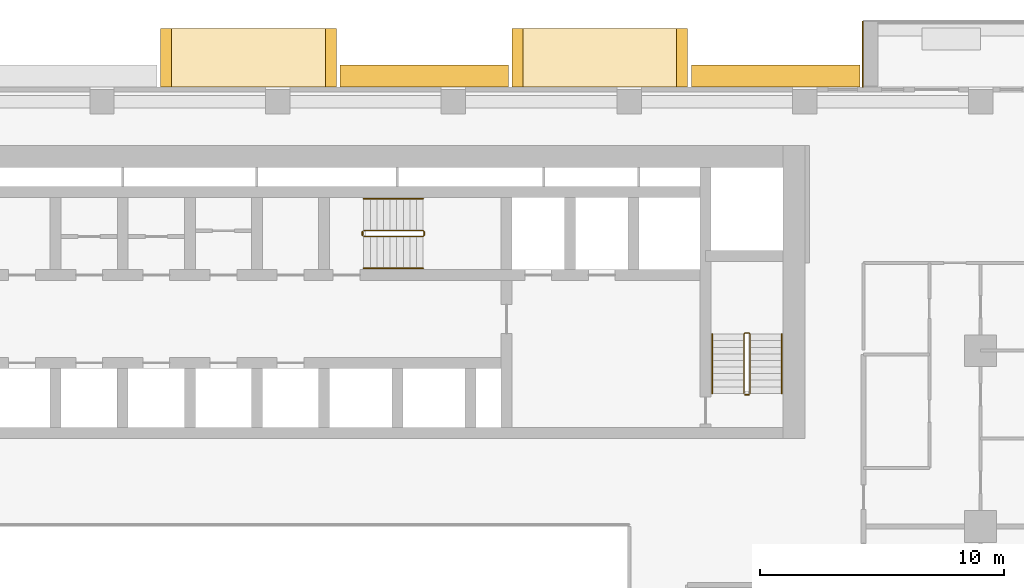
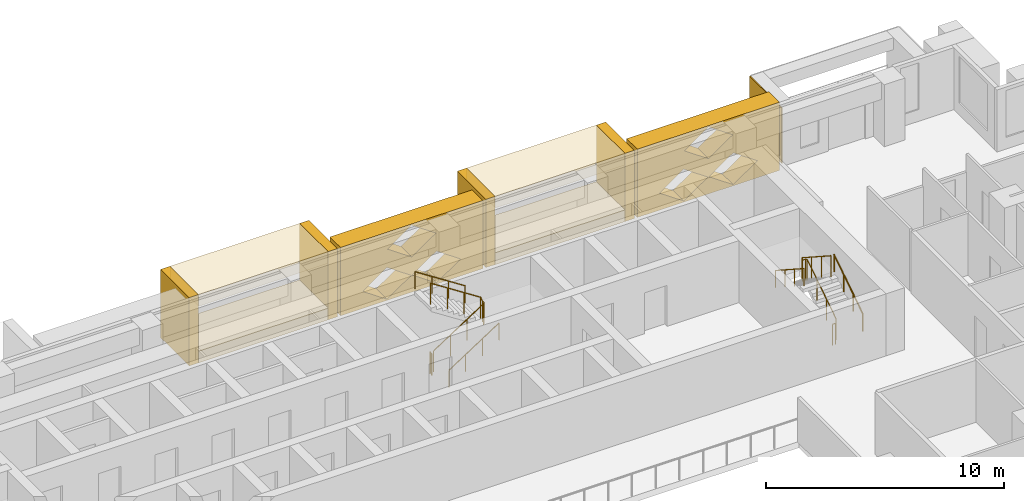
# One storey, part 16 of 17: 11 coverings, 8 railings.
"""IFC4 building model written with IfcOpenShell, lengths in metres."""

import ifcopenshell
import ifcopenshell.guid

model = None  # the IFC model being written
_history = None  # IfcOwnerHistory: only IFC2X3 demands one
_inside = {}  # id of a spatial element -> (the spatial element, [elements in it])
_under = {}  # id of a project, library or spatial element -> (it, [spatial elements below it])
_declared = {}  # id of a project -> (the project, [libraries it declares])
_typed = {}  # id of a type object -> (the type object, [elements of that type])
_made_of = {}  # id of a material, layer set ... -> (it, [elements and type objects made of it])


def new_model(schema):
    """Start an empty IFC model of exactly this schema.

    Asked for "IFC4X3", IfcOpenShell would pick the latest addendum, in which some entities
    have other attributes; the version numbers below select the first issue.
    IFC2X3 requires an IfcOwnerHistory on every rooted entity: one is made here for all.
    """
    global model, _history
    if schema == "IFC4X3":
        model = ifcopenshell.file(schema_version=(4, 3, 0, 0))
    else:
        model = ifcopenshell.file(schema=schema)
    _inside.clear()
    _under.clear()
    _declared.clear()
    _typed.clear()
    _made_of.clear()
    _history = None
    if model.schema == "IFC2X3":
        org = make("IfcOrganization", Name="unknown")
        user = make(
            "IfcPersonAndOrganization",
            ThePerson=make("IfcPerson", FamilyName="unknown"),
            TheOrganization=org,
        )
        app = make(
            "IfcApplication",
            ApplicationDeveloper=org,
            Version="unknown",
            ApplicationFullName="unknown",
            ApplicationIdentifier="unknown",
        )
        _history = make(
            "IfcOwnerHistory",
            OwningUser=user,
            OwningApplication=app,
            ChangeAction="ADDED",
            CreationDate=0,
        )
    return model


def make(cls, **values):
    """One entity of the class cls with the attributes given. An attribute that is None is left unset."""
    return model.create_entity(
        cls, **{name: value for name, value in values.items() if value is not None}
    )


def rooted(cls, **values):
    """An entity with a GlobalId (a new one), such as an element, a storey or a relation."""
    return make(cls, GlobalId=ifcopenshell.guid.new(), OwnerHistory=_history, **values)


def si_unit(unit_type, name, prefix=None):
    """IfcSIUnit, for example si_unit("LENGTHUNIT", "METRE", prefix="MILLI")."""
    return make("IfcSIUnit", UnitType=unit_type, Prefix=prefix, Name=name)


def assignment(units):
    """IfcUnitAssignment: the units of a project."""
    return None if units is None else make("IfcUnitAssignment", Units=units)


def point(xyz):
    """IfcCartesianPoint."""
    return None if xyz is None else make("IfcCartesianPoint", Coordinates=xyz)


def direction(xyz):
    """IfcDirection."""
    return None if xyz is None else make("IfcDirection", DirectionRatios=xyz)


def frame(location, z_axis=None, x_axis=None):
    """IfcAxis2Placement3D, a coordinate frame: its origin and axes. An axis left out is left unset."""
    return make(
        "IfcAxis2Placement3D",
        Location=point(location),
        Axis=direction(z_axis),
        RefDirection=direction(x_axis),
    )


def frame_2d(location, x_axis=None):
    """IfcAxis2Placement2D, a coordinate frame in the plane: its origin and x axis."""
    return make(
        "IfcAxis2Placement2D", Location=point(location), RefDirection=direction(x_axis)
    )


def origin():
    """The frame at (0, 0, 0) with its axes left unset."""
    return frame((0.0, 0.0, 0.0))


def origin_2d():
    """The frame at (0, 0) in the plane with its x axis left unset."""
    return frame_2d((0.0, 0.0))


def place(relative_to, where):
    """IfcLocalPlacement: puts the frame where relative to a parent placement (None: the world)."""
    return make(
        "IfcLocalPlacement", PlacementRelTo=relative_to, RelativePlacement=where
    )


def context(
    kind, dimensions, precision=None, world=None, true_north=None, identifier=None
):
    """IfcGeometricRepresentationContext, for example the 3D "Model" context."""
    return make(
        "IfcGeometricRepresentationContext",
        ContextIdentifier=identifier,
        ContextType=kind,
        CoordinateSpaceDimension=dimensions,
        Precision=precision,
        WorldCoordinateSystem=world,
        TrueNorth=true_north,
    )


def subcontext(parent, identifier, kind, view, scale=None):
    """IfcGeometricRepresentationSubContext, for example "Body" below "Model"."""
    return make(
        "IfcGeometricRepresentationSubContext",
        ContextIdentifier=identifier,
        ContextType=kind,
        ParentContext=parent,
        TargetScale=scale,
        TargetView=view,
    )


def project(units=None, contexts=None):
    """IfcProject with its units and contexts."""
    return rooted(
        "IfcProject",
        Name="project",
        RepresentationContexts=contexts,
        UnitsInContext=assignment(units),
    )


def spatial(cls, under=None, at=None, **own):
    """A site, building, storey or space (cls), placed at a placement, below another one or the project."""
    s = rooted(cls, ObjectPlacement=at, **own)
    if under is not None:
        _under.setdefault(under.id(), (under, []))[1].append(s)
    return s


def polyline(points):
    """IfcPolyline through the points."""
    return make("IfcPolyline", Points=[point(p) for p in points])


def profile(cls, at=None, kind="AREA", **sizes):
    """A parametric profile (cls). Its sizes go by their IFC names, for example OverallWidth=200.0."""
    return make(cls, ProfileType=kind, Position=at, **sizes)


def circle(**sizes):
    """IfcCircleProfileDef."""
    return profile("IfcCircleProfileDef", **sizes)


def outline(outer, holes=None, kind="AREA"):
    """IfcArbitraryClosedProfileDef: a profile drawn as a closed curve; with holes, ...WithVoids."""
    if holes is None:
        return make("IfcArbitraryClosedProfileDef", ProfileType=kind, OuterCurve=outer)
    return make(
        "IfcArbitraryProfileDefWithVoids",
        ProfileType=kind,
        OuterCurve=outer,
        InnerCurves=holes,
    )


def extrude(swept, where, along, depth):
    """IfcExtrudedAreaSolid: the profile swept, set in the frame where, extruded along a direction by depth."""
    return make(
        "IfcExtrudedAreaSolid",
        SweptArea=swept,
        Position=where,
        ExtrudedDirection=direction(along),
        Depth=depth,
    )


def shape(context_of_items, identifier, shape_type, items):
    """IfcShapeRepresentation: the items that make up one representation, for example the "Body"."""
    return make(
        "IfcShapeRepresentation",
        ContextOfItems=context_of_items,
        RepresentationIdentifier=identifier,
        RepresentationType=shape_type,
        Items=items,
    )


def material(Name=None, Category=None):
    """IfcMaterial."""
    return make("IfcMaterial", Name=Name, Category=Category)


def layer(
    of_material, thickness, ventilated=None, Name=None, Category=None, Priority=None
):
    """IfcMaterialLayer: one layer of a wall or slab, of a material (None: an air gap)."""
    return make(
        "IfcMaterialLayer",
        Material=of_material,
        LayerThickness=thickness,
        IsVentilated=ventilated,
        Name=Name,
        Category=Category,
        Priority=Priority,
    )


def layer_set(layers, Name=None):
    """IfcMaterialLayerSet."""
    return make("IfcMaterialLayerSet", MaterialLayers=layers, LayerSetName=Name)


def made_of(thing, what):
    """Note that an element or type object is made of a material, layer set ...; save() writes the relation."""
    if what is not None:
        _made_of.setdefault(what.id(), (what, []))[1].append(thing)
    return thing


def type_object(cls, material=None, **own):
    """A type object (cls), such as IfcWallType, which elements share."""
    return made_of(rooted(cls, **own), material)


def element(
    cls,
    number,
    at=None,
    inside=None,
    cuts=None,
    type_object=None,
    material=None,
    context=None,
    identifier="Body",
    shape_type=None,
    held_by="IfcProductDefinitionShape",
    body=None,
    shapes=None,
    **own,
):
    """One element of the class cls, such as IfcWall. Its Tag is "e" and its number.

    at: its placement. inside: the storey or other place that contains it. cuts: it is an
    opening in that element (IfcRelVoidsElement). A single representation is given by context,
    identifier, shape_type and body (its items); several are given by shapes. held_by: the class
    of the entity that holds the representations. save() writes the other relations.
    """
    e = rooted(cls, Tag="e%d" % number, ObjectPlacement=at, **own)
    if body is not None:
        shapes = [shape(context, identifier, shape_type, body)]
    if shapes is not None:
        e.Representation = make(held_by, Representations=shapes)
    if inside is not None:
        _inside.setdefault(inside.id(), (inside, []))[1].append(e)
    if cuts is not None:
        rooted(
            "IfcRelVoidsElement", RelatingBuildingElement=cuts, RelatedOpeningElement=e
        )
    if type_object is not None:
        _typed.setdefault(type_object.id(), (type_object, []))[1].append(e)
    return made_of(e, material)


def aggregate(whole, parts):
    """IfcRelAggregates: a whole, such as a stair, and the parts it consists of."""
    return rooted("IfcRelAggregates", RelatingObject=whole, RelatedObjects=parts)


def save(model, path):
    """Write the relations noted so far, then the file.

    IfcRelAggregates (storeys below a building ...), IfcRelContainedInSpatialStructure (elements
    in a storey), IfcRelDefinesByType, IfcRelAssociatesMaterial and IfcRelDeclares: one each for
    every whole, place, type object, material and project.
    """
    for whole, parts in _under.values():
        aggregate(whole, parts)
    for where, things in _inside.values():
        rooted(
            "IfcRelContainedInSpatialStructure",
            RelatedElements=things,
            RelatingStructure=where,
        )
    for kind, things in _typed.values():
        rooted("IfcRelDefinesByType", RelatedObjects=things, RelatingType=kind)
    for what, things in _made_of.values():
        rooted("IfcRelAssociatesMaterial", RelatedObjects=things, RelatingMaterial=what)
    for by, libraries in _declared.values():
        rooted("IfcRelDeclares", RelatingContext=by, RelatedDefinitions=libraries)
    model.write(path)


model = new_model("IFC4")

# Units and contexts
model_context = context("Model", 3, precision=1e-05, world=origin(), true_north=direction((0.0, 1.0)))
body_context = subcontext(model_context, "Body", "Model", "MODEL_VIEW")
ifc_project = project(units=[si_unit("LENGTHUNIT", "METRE"), si_unit("AREAUNIT", "SQUARE_METRE"), si_unit("VOLUMEUNIT", "CUBIC_METRE"), si_unit("PLANEANGLEUNIT", "RADIAN"), si_unit("MASSUNIT", "GRAM", prefix="KILO")], contexts=[model_context])

# Site, building, storey
site_placement = place(None, origin())
site = spatial("IfcSite", under=ifc_project, at=site_placement, CompositionType="ELEMENT")
building_placement = place(site_placement, origin())
building = spatial("IfcBuilding", under=site, at=building_placement, Name="Saffron Iwan Residences", CompositionType="ELEMENT")
storey_placement = place(building_placement, frame((0.0, 0.0, 76.0)))
storey = spatial("IfcBuildingStorey", under=building, at=storey_placement, Name="L19", CompositionType="ELEMENT", Elevation=76.0)

# Coverings
ifc_material_1 = material(Name="Precast concrete C40/50 white painted", Category="concrete")
ifc_layer = layer(ifc_material_1, 0.050048828125)
ifc_layer_set = layer_set([ifc_layer], Name="Precast concrete C40/50 white painted")
covering_type_1 = type_object("IfcCoveringType", Name="FRAME SKIN PRECAST WHITE 50", PredefinedType="CLADDING", material=ifc_layer_set)
covering_placement = place(storey_placement, origin())
element("IfcCovering", 1, at=covering_placement, inside=storey, type_object=covering_type_1, Name="Frame skin fin L19 F5-0b", PredefinedType="CLADDING", context=body_context, shape_type="SweptSolid", body=[
    extrude(outline(polyline([(74.39990234375, 83.10009765625), (74.35009765625, 83.10009765625), (74.35009765625, 80.39990234375), (74.39990234375, 80.39990234375), (74.39990234375, 83.10009765625)])), origin(), (0.0, 0.0, 1.0), 2.85009765625),
])
ifc_material_2 = material(Name="Precast concrete C40/50", Category="concrete")
covering_type_2 = type_object("IfcCoveringType", Name="OUTER SKIN LATTICE SCREEN", PredefinedType="CLADDING", material=ifc_material_2)
for number, where, z_axis, x_axis, name in (
    (2, (74.25, 80.39990234375, -0.320068359375), (0.0, 1.0, 0.0), (-1.0, 0.0, 0.0), "OUTER SKIN lattice screen L19 F5.1"),
    (3, (59.85009765625, 80.39990234375, -0.320068359375), (0.0, 1.0, 0.0), (-1.0, 0.0, 0.0), "OUTER SKIN lattice screen L19 F5.2"),
):
    element("IfcCovering", number, at=place(storey_placement, frame(where, z_axis=z_axis, x_axis=x_axis)), inside=storey, type_object=covering_type_2, Name=name, PredefinedType="CLADDING", context=body_context, shape_type="SweptSolid", body=[
        extrude(outline(polyline([(0.0, 0.0), (6.89990234375, 0.0), (6.89990234375, 3.5), (0.0, 3.5), (0.0, 0.0)]), holes=[polyline([(1.070068359375, 0.875), (2.25, 0.06005859375), (3.429931640625, 0.875), (2.25, 1.68994140625), (1.070068359375, 0.875)]), polyline([(3.469970703125, 0.875), (4.64990234375, 0.06005859375), (5.830078125, 0.875), (4.64990234375, 1.68994140625), (3.469970703125, 0.875)]), polyline([(2.27001953125, 2.625), (3.449951171875, 1.81005859375), (4.6298828125, 2.625), (3.449951171875, 3.43994140625), (2.27001953125, 2.625)])]), origin(), (0.0, 0.0, 1.0), 0.900146484375),
    ])

# Railings
ifc_material_3 = material(Name="Steel S355", Category="steel")
railing_type_1 = type_object("IfcRailingType", Name="Stair guard 1100", PredefinedType="GUARDRAIL", material=ifc_material_3)
railing_1_placement = place(storey_placement, frame((53.925048828125, 74.27490234375, 0.175048828125)))
element("IfcRailing", 4, at=railing_1_placement, inside=storey, type_object=railing_type_1, Name="L19 ST-C stair guard 1", PredefinedType="GUARDRAIL", context=body_context, shape_type="SweptSolid", body=[
    extrude(circle(Radius=0.02392578125, at=origin_2d()), frame((0.0, 0.0, 1.076171875), z_axis=(0.839153699163, 0.0, 0.543894354798), x_axis=(0.0, 1.0, 0.0)), (0.0, 0.0, 1.0), 2.895751953125),
    extrude(circle(Radius=0.02392578125, at=origin_2d()), frame((2.429931640625, 0.0, 2.65087890625), z_axis=(0.707106781187, 0.707106781187, 0.0), x_axis=(-0.707106781187, 0.707106781187, 0.0)), (0.0, 0.0, 1.0), 0.07080078125),
    extrude(circle(Radius=0.02392578125, at=origin_2d()), frame((2.47998046875, 0.050048828125, 2.65087890625), z_axis=(0.0, 1.0, 0.0), x_axis=(-1.0, 0.0, 0.0)), (0.0, 0.0, 1.0), 0.150146484375),
    extrude(circle(Radius=0.02392578125, at=origin_2d()), frame((2.47998046875, 0.2001953125, 2.65087890625), z_axis=(-0.265155923931, 0.263862480399, 0.927399011991), x_axis=(-0.705375805398, -0.708833529934, 0.0)), (0.0, 0.0, 1.0), 0.188720703125),
    extrude(circle(Radius=0.02392578125, at=origin_2d()), frame((2.429931640625, 0.25, 2.826171875), z_axis=(-0.839153699163, 0.0, 0.543894354798), x_axis=(0.0, -1.0, 0.0)), (0.0, 0.0, 1.0), 2.895751953125),
    extrude(circle(Radius=0.02099609375, at=origin_2d()), origin(), (0.0, 0.0, 1.0), 1.052001953125),
    extrude(circle(Radius=0.02099609375, at=origin_2d()), frame((0.81005859375, 0.0, 0.52490234375)), (0.0, 0.0, 1.0), 1.052001953125),
    extrude(circle(Radius=0.02099609375, at=origin_2d()), frame((1.619873046875, 0.0, 1.050048828125)), (0.0, 0.0, 1.0), 1.052001953125),
    extrude(circle(Radius=0.02099609375, at=origin_2d()), frame((2.429931640625, 0.0, 1.574951171875)), (0.0, 0.0, 1.0), 1.052001953125),
    extrude(circle(Radius=0.02099609375, at=origin_2d()), frame((2.47998046875, 0.050048828125, 1.574951171875)), (0.0, 0.0, 1.0), 1.052001953125),
    extrude(circle(Radius=0.02099609375, at=origin_2d()), frame((2.47998046875, 0.2001953125, 1.574951171875)), (0.0, 0.0, 1.0), 1.052001953125),
    extrude(circle(Radius=0.02099609375, at=origin_2d()), frame((2.429931640625, 0.25, 1.75)), (0.0, 0.0, 1.0), 1.052001953125),
    extrude(circle(Radius=0.02099609375, at=origin_2d()), frame((1.619873046875, 0.25, 2.27490234375)), (0.0, 0.0, 1.0), 1.052001953125),
    extrude(circle(Radius=0.02099609375, at=origin_2d()), frame((0.81005859375, 0.25, 2.800048828125)), (0.0, 0.0, 1.0), 1.052001953125),
    extrude(circle(Radius=0.02099609375, at=origin_2d()), frame((0.0, 0.25, 3.324951171875)), (0.0, 0.0, 1.0), 1.052001953125),
])
railing_2_placement = place(storey_placement, frame((53.875, 74.324951171875, 0.0)))
element("IfcRailing", 5, at=railing_2_placement, inside=storey, type_object=railing_type_1, Name="L19 ST-C stair guard 2", PredefinedType="GUARDRAIL", context=body_context, shape_type="SweptSolid", body=[
    extrude(circle(Radius=0.02392578125, at=origin_2d()), frame((0.0, 0.0, 1.076171875), z_axis=(0.0, 1.0, 0.0), x_axis=(-1.0, 0.0, 0.0)), (0.0, 0.0, 1.0), 0.150146484375),
    extrude(circle(Radius=0.02099609375, at=origin_2d()), origin(), (0.0, 0.0, 1.0), 1.052001953125),
    extrude(circle(Radius=0.02099609375, at=origin_2d()), frame((0.0, 0.150146484375, 0.0)), (0.0, 0.0, 1.0), 1.052001953125),
])
railing_3_placement = place(storey_placement, frame((69.75, 67.85009765625, 0.175048828125)))
element("IfcRailing", 6, at=railing_3_placement, inside=storey, type_object=railing_type_1, Name="L19 ST-E stair guard 1", PredefinedType="GUARDRAIL", context=body_context, shape_type="SweptSolid", body=[
    extrude(circle(Radius=0.02392578125, at=origin_2d()), frame((0.0, 0.0, 1.076171875), z_axis=(0.0, 0.839153699163, 0.543894354798), x_axis=(-1.0, 0.0, 0.0)), (0.0, 0.0, 1.0), 2.895751953125),
    extrude(circle(Radius=0.02392578125, at=origin_2d()), frame((0.0, 2.429931640625, 2.65087890625), z_axis=(-0.707106781187, 0.707106781187, 0.0), x_axis=(-0.707106781187, -0.707106781187, 0.0)), (0.0, 0.0, 1.0), 0.07080078125),
    extrude(circle(Radius=0.02392578125, at=origin_2d()), frame((-0.050048828125, 2.47998046875, 2.65087890625), z_axis=(-1.0, 0.0, 0.0), x_axis=(0.0, -1.0, 0.0)), (0.0, 0.0, 1.0), 0.14990234375),
    extrude(circle(Radius=0.02392578125, at=origin_2d()), frame((-0.199951171875, 2.47998046875, 2.65087890625), z_axis=(-0.265065253269, -0.265065253269, 0.927081885822), x_axis=(0.707106781187, -0.707106781187, 0.0)), (0.0, 0.0, 1.0), 0.188720703125),
    extrude(circle(Radius=0.02392578125, at=origin_2d()), frame((-0.25, 2.429931640625, 2.826171875), z_axis=(0.0, -0.839153699163, 0.543894354798), x_axis=(1.0, 0.0, 0.0)), (0.0, 0.0, 1.0), 2.895751953125),
    extrude(circle(Radius=0.02099609375, at=origin_2d()), origin(), (0.0, 0.0, 1.0), 1.052001953125),
    extrude(circle(Radius=0.02099609375, at=origin_2d()), frame((0.0, 0.81005859375, 0.52490234375)), (0.0, 0.0, 1.0), 1.052001953125),
    extrude(circle(Radius=0.02099609375, at=origin_2d()), frame((0.0, 1.619873046875, 1.050048828125)), (0.0, 0.0, 1.0), 1.052001953125),
    extrude(circle(Radius=0.02099609375, at=origin_2d()), frame((0.0, 2.429931640625, 1.574951171875)), (0.0, 0.0, 1.0), 1.052001953125),
    extrude(circle(Radius=0.02099609375, at=origin_2d()), frame((-0.050048828125, 2.47998046875, 1.574951171875)), (0.0, 0.0, 1.0), 1.052001953125),
    extrude(circle(Radius=0.02099609375, at=origin_2d()), frame((-0.199951171875, 2.47998046875, 1.574951171875)), (0.0, 0.0, 1.0), 1.052001953125),
    extrude(circle(Radius=0.02099609375, at=origin_2d()), frame((-0.25, 2.429931640625, 1.75)), (0.0, 0.0, 1.0), 1.052001953125),
    extrude(circle(Radius=0.02099609375, at=origin_2d()), frame((-0.25, 1.619873046875, 2.27490234375)), (0.0, 0.0, 1.0), 1.052001953125),
    extrude(circle(Radius=0.02099609375, at=origin_2d()), frame((-0.25, 0.81005859375, 2.800048828125)), (0.0, 0.0, 1.0), 1.052001953125),
    extrude(circle(Radius=0.02099609375, at=origin_2d()), frame((-0.25, 0.0, 3.324951171875)), (0.0, 0.0, 1.0), 1.052001953125),
])
railing_4_placement = place(storey_placement, frame((69.699951171875, 67.800048828125, 0.0)))
element("IfcRailing", 7, at=railing_4_placement, inside=storey, type_object=railing_type_1, Name="L19 ST-E stair guard 2", PredefinedType="GUARDRAIL", context=body_context, shape_type="SweptSolid", body=[
    extrude(circle(Radius=0.02392578125, at=origin_2d()), frame((0.0, 0.0, 1.076171875), z_axis=(-1.0, 0.0, 0.0), x_axis=(0.0, -1.0, 0.0)), (0.0, 0.0, 1.0), 0.14990234375),
    extrude(circle(Radius=0.02099609375, at=origin_2d()), origin(), (0.0, 0.0, 1.0), 1.052001953125),
    extrude(circle(Radius=0.02099609375, at=origin_2d()), frame((-0.14990234375, 0.0, 0.0)), (0.0, 0.0, 1.0), 1.052001953125),
])
ifc_material_4 = material(Name="Stainless steel 316", Category="steel")
railing_type_2 = type_object("IfcRailingType", Name="Stair handrail 900", PredefinedType="HANDRAIL", material=ifc_material_4)
railing_5_placement = place(storey_placement, frame((53.925048828125, 72.97509765625, 0.175048828125)))
element("IfcRailing", 8, at=railing_5_placement, inside=storey, type_object=railing_type_2, Name="L19 ST-C stair handrail 1", PredefinedType="HANDRAIL", context=body_context, shape_type="SweptSolid", body=[
    extrude(circle(Radius=0.02392578125, at=origin_2d()), frame((0.0, 0.0, 0.8759765625), z_axis=(0.839153699163, 0.0, 0.543894354798), x_axis=(0.0, 1.0, 0.0)), (0.0, 0.0, 1.0), 2.895751953125),
    extrude(circle(Radius=0.02099609375, at=origin_2d()), origin(), (0.0, 0.0, 1.0), 0.851806640625),
    extrude(circle(Radius=0.02099609375, at=origin_2d()), frame((0.81005859375, 0.0, 0.52490234375)), (0.0, 0.0, 1.0), 0.851806640625),
    extrude(circle(Radius=0.02099609375, at=origin_2d()), frame((1.619873046875, 0.0, 1.050048828125)), (0.0, 0.0, 1.0), 0.851806640625),
    extrude(circle(Radius=0.02099609375, at=origin_2d()), frame((2.429931640625, 0.0, 1.574951171875)), (0.0, 0.0, 1.0), 0.851806640625),
])
railing_6_placement = place(storey_placement, frame((56.35498046875, 75.824951171875, 1.925048828125)))
element("IfcRailing", 9, at=railing_6_placement, inside=storey, type_object=railing_type_2, Name="L19 ST-C stair handrail 2", PredefinedType="HANDRAIL", context=body_context, shape_type="SweptSolid", body=[
    extrude(circle(Radius=0.02392578125, at=origin_2d()), frame((0.0, 0.0, 0.8759765625), z_axis=(-0.839153699163, 0.0, 0.543894354798), x_axis=(0.0, -1.0, 0.0)), (0.0, 0.0, 1.0), 2.895751953125),
    extrude(circle(Radius=0.02099609375, at=origin_2d()), origin(), (0.0, 0.0, 1.0), 0.851806640625),
    extrude(circle(Radius=0.02099609375, at=origin_2d()), frame((-0.81005859375, 0.0, 0.52490234375)), (0.0, 0.0, 1.0), 0.851806640625),
    extrude(circle(Radius=0.02099609375, at=origin_2d()), frame((-1.619873046875, 0.0, 1.050048828125)), (0.0, 0.0, 1.0), 0.851806640625),
    extrude(circle(Radius=0.02099609375, at=origin_2d()), frame((-2.429931640625, 0.0, 1.574951171875)), (0.0, 0.0, 1.0), 0.851806640625),
])
railing_7_placement = place(storey_placement, frame((71.050048828125, 67.85009765625, 0.175048828125)))
element("IfcRailing", 10, at=railing_7_placement, inside=storey, type_object=railing_type_2, Name="L19 ST-E stair handrail 1", PredefinedType="HANDRAIL", context=body_context, shape_type="SweptSolid", body=[
    extrude(circle(Radius=0.02392578125, at=origin_2d()), frame((0.0, 0.0, 0.8759765625), z_axis=(0.0, 0.839153699163, 0.543894354798), x_axis=(-1.0, 0.0, 0.0)), (0.0, 0.0, 1.0), 2.895751953125),
    extrude(circle(Radius=0.02099609375, at=origin_2d()), origin(), (0.0, 0.0, 1.0), 0.851806640625),
    extrude(circle(Radius=0.02099609375, at=origin_2d()), frame((0.0, 0.81005859375, 0.52490234375)), (0.0, 0.0, 1.0), 0.851806640625),
    extrude(circle(Radius=0.02099609375, at=origin_2d()), frame((0.0, 1.619873046875, 1.050048828125)), (0.0, 0.0, 1.0), 0.851806640625),
    extrude(circle(Radius=0.02099609375, at=origin_2d()), frame((0.0, 2.429931640625, 1.574951171875)), (0.0, 0.0, 1.0), 0.851806640625),
])
railing_8_placement = place(storey_placement, frame((68.199951171875, 70.280029296875, 1.925048828125)))
element("IfcRailing", 11, at=railing_8_placement, inside=storey, type_object=railing_type_2, Name="L19 ST-E stair handrail 2", PredefinedType="HANDRAIL", context=body_context, shape_type="SweptSolid", body=[
    extrude(circle(Radius=0.02392578125, at=origin_2d()), frame((0.0, 0.0, 0.8759765625), z_axis=(0.0, -0.839153699163, 0.543894354798), x_axis=(1.0, 0.0, 0.0)), (0.0, 0.0, 1.0), 2.895751953125),
    extrude(circle(Radius=0.02099609375, at=origin_2d()), origin(), (0.0, 0.0, 1.0), 0.851806640625),
    extrude(circle(Radius=0.02099609375, at=origin_2d()), frame((0.0, -0.81005859375, 0.52490234375)), (0.0, 0.0, 1.0), 0.851806640625),
    extrude(circle(Radius=0.02099609375, at=origin_2d()), frame((0.0, -1.619873046875, 1.050048828125)), (0.0, 0.0, 1.0), 0.851806640625),
    extrude(circle(Radius=0.02099609375, at=origin_2d()), frame((0.0, -2.429931640625, 1.574951171875)), (0.0, 0.0, 1.0), 0.851806640625),
])

# Coverings
covering_type_3 = type_object("IfcCoveringType", Name="WHITE SUN FRAME PRECAST", PredefinedType="CLADDING", material=ifc_material_1)
for number, where, z_axis, x_axis, name in (
    (12, (67.199951171875, 80.39990234375, -0.320068359375), (0.0, 1.0, 0.0), (-1.0, 0.0, 0.0), "Sun frame L19 F5 15.6a"),
    (13, (60.449951171875, 80.39990234375, -0.320068359375), (0.0, 1.0, 0.0), (-1.0, 0.0, 0.0), "Sun frame L19 F5 15.6b"),
):
    element("IfcCovering", number, at=place(storey_placement, frame(where, z_axis=z_axis, x_axis=x_axis)), inside=storey, type_object=covering_type_3, Name=name, PredefinedType="CLADDING", context=body_context, shape_type="SweptSolid", body=[
        extrude(outline(polyline([(0.0, 0.0), (0.449951171875, 0.0), (0.449951171875, 3.5), (0.0, 3.5), (0.0, 0.0)])), origin(), (0.0, 0.0, 1.0), 2.400146484375),
    ])
for number, where, z_axis, x_axis, name in (
    (14, (66.75, 80.39990234375, 2.580078125), (0.0, 1.0, 0.0), (-1.0, 0.0, 0.0), "Sun frame L19 F5 15.6h"),
    (15, (66.75, 80.39990234375, -0.320068359375), (0.0, 1.0, 0.0), (-1.0, 0.0, 0.0), "Sun frame L19 F5 15.6s"),
):
    element("IfcCovering", number, at=place(storey_placement, frame(where, z_axis=z_axis, x_axis=x_axis)), inside=storey, type_object=covering_type_3, Name=name, PredefinedType="CLADDING", context=body_context, shape_type="SweptSolid", body=[
        extrude(outline(polyline([(0.0, 0.0), (6.300048828125, 0.0), (6.300048828125, 0.60009765625), (0.0, 0.60009765625), (0.0, 0.0)])), origin(), (0.0, 0.0, 1.0), 2.400146484375),
    ])
for number, where, z_axis, x_axis, name in (
    (16, (52.800048828125, 80.39990234375, -0.320068359375), (0.0, 1.0, 0.0), (-1.0, 0.0, 0.0), "Sun frame L19 F5 30.0a"),
    (17, (46.050048828125, 80.39990234375, -0.320068359375), (0.0, 1.0, 0.0), (-1.0, 0.0, 0.0), "Sun frame L19 F5 30.0b"),
):
    element("IfcCovering", number, at=place(storey_placement, frame(where, z_axis=z_axis, x_axis=x_axis)), inside=storey, type_object=covering_type_3, Name=name, PredefinedType="CLADDING", context=body_context, shape_type="SweptSolid", body=[
        extrude(outline(polyline([(0.0, 0.0), (0.449951171875, 0.0), (0.449951171875, 3.5), (0.0, 3.5), (0.0, 0.0)])), origin(), (0.0, 0.0, 1.0), 2.400146484375),
    ])
for number, where, z_axis, x_axis, name in (
    (18, (52.35009765625, 80.39990234375, 2.580078125), (0.0, 1.0, 0.0), (-1.0, 0.0, 0.0), "Sun frame L19 F5 30.0h"),
    (19, (52.35009765625, 80.39990234375, -0.320068359375), (0.0, 1.0, 0.0), (-1.0, 0.0, 0.0), "Sun frame L19 F5 30.0s"),
):
    element("IfcCovering", number, at=place(storey_placement, frame(where, z_axis=z_axis, x_axis=x_axis)), inside=storey, type_object=covering_type_3, Name=name, PredefinedType="CLADDING", context=body_context, shape_type="SweptSolid", body=[
        extrude(outline(polyline([(0.0, 0.0), (6.300048828125, 0.0), (6.300048828125, 0.60009765625), (0.0, 0.60009765625), (0.0, 0.0)])), origin(), (0.0, 0.0, 1.0), 2.400146484375),
    ])

save(model, "model.ifc")
